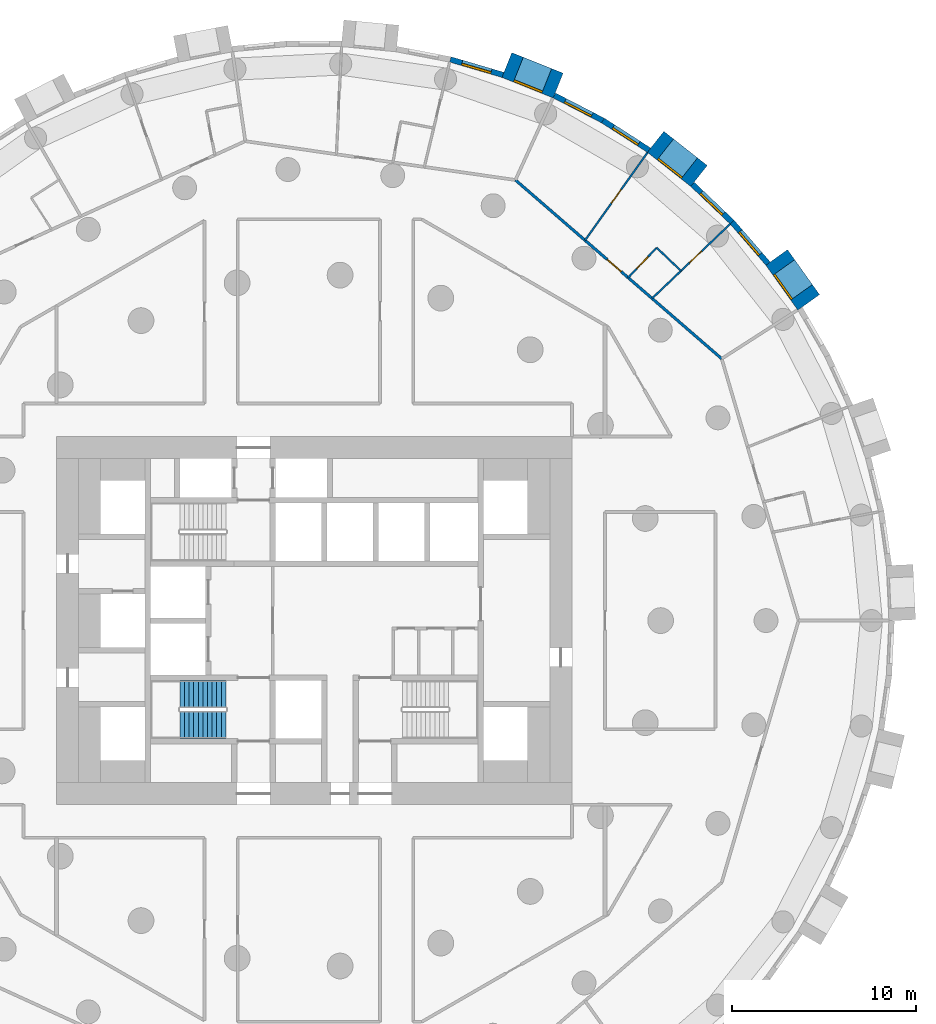
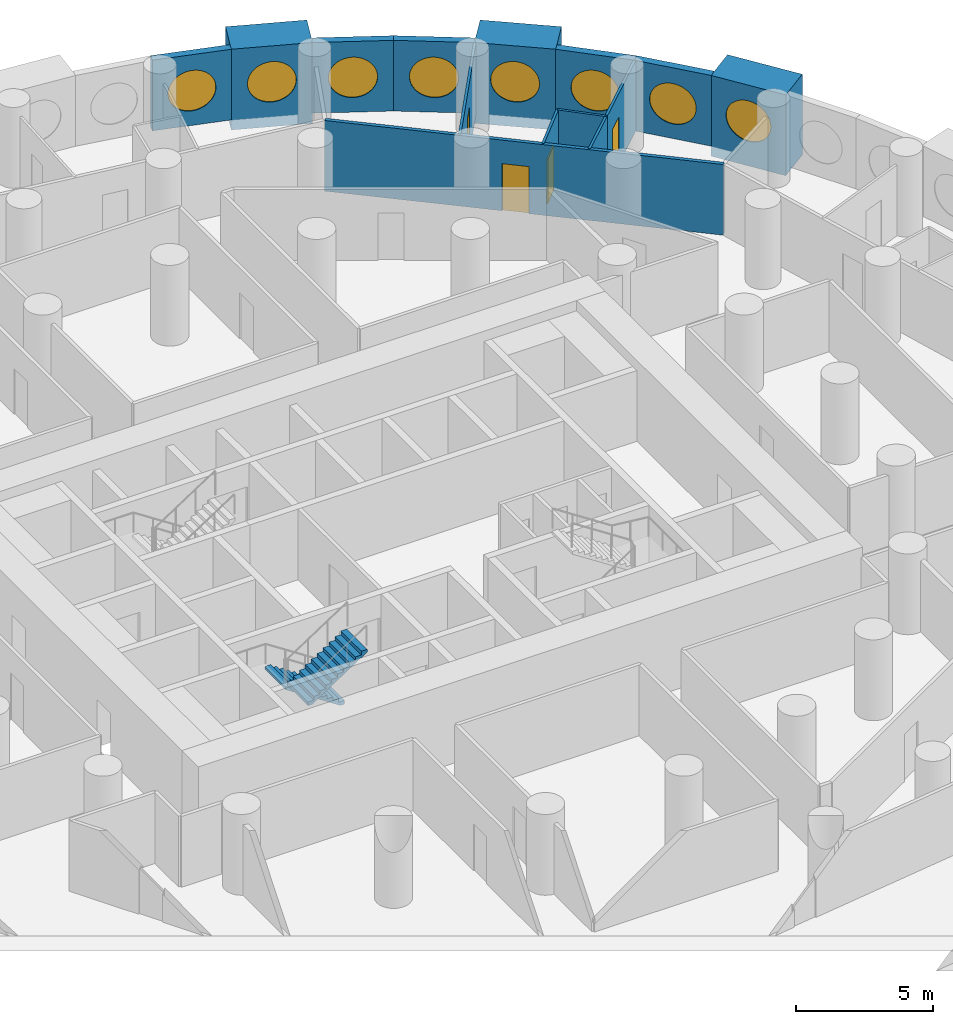
# One storey, part 10 of 12: 14 walls, 8 windows, 4 doors, 2 stair flights, 12 openings, 1 element without a shape of its own.
"""IFC4 building model written with IfcOpenShell, lengths in metres."""

from ifc_helpers import new_model, si_unit, direction, frame, frame_2d, origin, origin_2d, place, context, subcontext, project, spatial, polyline, rectangle, circle, outline, extrude, material, layer, layer_set, type_object, element, fill, aggregate, save


model = new_model("IFC4")

# Units and contexts
model_context = context("Model", 3, precision=1e-05, world=origin(), true_north=direction((0.0, 1.0)))
body_context = subcontext(model_context, "Body", "Model", "MODEL_VIEW")
ifc_project = project(units=[si_unit("LENGTHUNIT", "METRE"), si_unit("AREAUNIT", "SQUARE_METRE"), si_unit("VOLUMEUNIT", "CUBIC_METRE"), si_unit("PLANEANGLEUNIT", "RADIAN"), si_unit("MASSUNIT", "GRAM", prefix="KILO")], contexts=[model_context])

# Site, building, storey
site_placement = place(None, origin())
site = spatial("IfcSite", under=ifc_project, at=site_placement, CompositionType="ELEMENT")
building_placement = place(site_placement, origin())
building = spatial("IfcBuilding", under=site, at=building_placement, Name="Tracery Tower", CompositionType="ELEMENT")
storey_placement = place(building_placement, frame((0.0, 0.0, 85.800048828125)))
storey = spatial("IfcBuildingStorey", under=building, at=storey_placement, Name="L21", CompositionType="ELEMENT", Elevation=85.800048828125)

# Wall, opening, window
ifc_material_1 = material(Name="Precast concrete C50/60", Category="concrete")
ifc_layer_1 = layer(ifc_material_1, 1.449951171875)
ifc_layer_set_1 = layer_set([ifc_layer_1], Name="Deep-set bay unit 3000 x 3600, slab edge 450")
wall_type_1 = type_object("IfcWallType", Name="Deep-set bay unit 3000 x 3600, slab edge 450", PredefinedType="ELEMENTEDWALL", material=ifc_layer_set_1)
wall_1_placement = place(storey_placement, frame((26.866455078125, 17.2900390625, -0.449951171875), z_axis=(0.0, 0.0, 1.0), x_axis=(-0.580090570606, 0.814551981088, 0.0)))
wall_1 = element("IfcWall", 1, at=wall_1_placement, inside=storey, type_object=wall_type_1, Name="Deep-set bay unit 7 at L21", PredefinedType="ELEMENTEDWALL", context=body_context, shape_type="SweptSolid", body=[
    extrude(rectangle(XDim=3.0, YDim=1.449951171875, at=frame_2d((1.5, 0.0))), origin(), (0.0, 0.0, 1.0), 3.599853515625),
])
opening_1_placement = place(wall_1_placement, frame((1.5, 0.0, 2.0)))
opening_1 = element("IfcOpeningElement", 2, at=opening_1_placement, cuts=wall_1, Name="Opening WN1", PredefinedType="OPENING", context=body_context, shape_type="SweptSolid", body=[
    extrude(circle(Radius=0.9000244140625, at=origin_2d()), frame((0.0, 0.73486328125, 0.0), z_axis=(0.0, -1.0, 0.0), x_axis=(1.0, 0.0, 0.0)), (0.0, 0.0, 1.0), 1.469970703125),
])
ifc_material_2 = material(Name="Aluminium frame with tinted double glazing", Category="aluminium")
window_type = type_object("IfcWindowType", Name="Round window 1800", PartitioningType="SINGLE_PANEL", PredefinedType="WINDOW", material=ifc_material_2)
window_1_placement = place(opening_1_placement, origin())
window_1 = element("IfcWindow", 3, at=window_1_placement, inside=storey, type_object=window_type, Name="Round window 7 at L21", OverallHeight=1.800048828125, OverallWidth=1.800048828125, PartitioningType="SINGLE_PANEL", PredefinedType="WINDOW", context=body_context, shape_type="SweptSolid", body=[
    extrude(circle(Radius=0.9000244140625, at=origin_2d()), frame((0.0, 0.69482421875, 0.0), z_axis=(0.0, -1.0, 0.0), x_axis=(1.0, 0.0, 0.0)), (0.0, 0.0, 1.0), 0.10009765625),
])
fill(opening_1, window_1)

wall_2_placement = place(storey_placement, frame((20.906982421875, 24.15869140625, -0.449951171875), z_axis=(0.0, 0.0, 1.0), x_axis=(-0.786049992888, 0.618162930529, 0.0)))
wall_2 = element("IfcWall", 4, at=wall_2_placement, inside=storey, type_object=wall_type_1, Name="Deep-set bay unit 10 at L21", PredefinedType="ELEMENTEDWALL", context=body_context, shape_type="SweptSolid", body=[
    extrude(rectangle(XDim=3.0, YDim=1.449951171875, at=frame_2d((1.5, 0.0))), origin(), (0.0, 0.0, 1.0), 3.599853515625),
])
opening_2_placement = place(wall_2_placement, frame((1.5, 0.0, 2.0)))
opening_2 = element("IfcOpeningElement", 5, at=opening_2_placement, cuts=wall_2, Name="Opening WN1", PredefinedType="OPENING", context=body_context, shape_type="SweptSolid", body=[
    extrude(circle(Radius=0.9000244140625, at=origin_2d()), frame((0.0, 0.73486328125, 0.0), z_axis=(0.0, -1.0, 0.0), x_axis=(1.0, 0.0, 0.0)), (0.0, 0.0, 1.0), 1.469970703125),
])
window_2_placement = place(opening_2_placement, origin())
window_2 = element("IfcWindow", 6, at=window_2_placement, inside=storey, type_object=window_type, Name="Round window 10 at L21", OverallHeight=1.800048828125, OverallWidth=1.800048828125, PartitioningType="SINGLE_PANEL", PredefinedType="WINDOW", context=body_context, shape_type="SweptSolid", body=[
    extrude(circle(Radius=0.9000244140625, at=origin_2d()), frame((0.0, 0.69482421875, 0.0), z_axis=(0.0, -1.0, 0.0), x_axis=(1.0, 0.0, 0.0)), (0.0, 0.0, 1.0), 0.10009765625),
])
fill(opening_2, window_2)

wall_3_placement = place(storey_placement, frame((13.253662109375, 29.0703125, -0.449951171875), z_axis=(0.0, 0.0, 1.0), x_axis=(-0.928358776184, 0.371685327504, 0.0)))
wall_3 = element("IfcWall", 7, at=wall_3_placement, inside=storey, type_object=wall_type_1, Name="Deep-set bay unit 13 at L21", PredefinedType="ELEMENTEDWALL", context=body_context, shape_type="SweptSolid", body=[
    extrude(rectangle(XDim=2.999755859375, YDim=1.449951171875, at=frame_2d((1.5, 0.0))), origin(), (0.0, 0.0, 1.0), 3.599853515625),
])
opening_3_placement = place(wall_3_placement, frame((1.5, 0.0, 2.0)))
opening_3 = element("IfcOpeningElement", 8, at=opening_3_placement, cuts=wall_3, Name="Opening WN1", PredefinedType="OPENING", context=body_context, shape_type="SweptSolid", body=[
    extrude(circle(Radius=0.9000244140625, at=origin_2d()), frame((0.0, 0.73486328125, 0.0), z_axis=(0.0, -1.0, 0.0), x_axis=(1.0, 0.0, 0.0)), (0.0, 0.0, 1.0), 1.469970703125),
])
window_3_placement = place(opening_3_placement, origin())
window_3 = element("IfcWindow", 9, at=window_3_placement, inside=storey, type_object=window_type, Name="Round window 13 at L21", OverallHeight=1.800048828125, OverallWidth=1.800048828125, PartitioningType="SINGLE_PANEL", PredefinedType="WINDOW", context=body_context, shape_type="SweptSolid", body=[
    extrude(circle(Radius=0.9000244140625, at=origin_2d()), frame((0.0, 0.69482421875, 0.0), z_axis=(0.0, -1.0, 0.0), x_axis=(1.0, 0.0, 0.0)), (0.0, 0.0, 1.0), 0.10009765625),
])
fill(opening_3, window_3)

ifc_material_3 = material(Name="Precast concrete C50/60", Category="concrete")
ifc_layer_2 = layer(ifc_material_3, 0.300048828125)
ifc_layer_set_2 = layer_set([ifc_layer_2], Name="Facade panel 3000 x 3150")
wall_type_2 = type_object("IfcWallType", Name="Facade panel 3000 x 3150", PredefinedType="SOLIDWALL", material=ifc_layer_set_2)
wall_4_placement = place(storey_placement, frame((24.657958984375, 19.39892578125, 0.0), z_axis=(0.0, 0.0, 1.0), x_axis=(-0.654830712471, 0.755775587066, 0.0)))
wall_4 = element("IfcWall", 10, at=wall_4_placement, inside=storey, type_object=wall_type_2, Name="Facade panel 8 at L21", PredefinedType="SOLIDWALL", context=body_context, shape_type="SweptSolid", body=[
    extrude(rectangle(XDim=2.979736328125, YDim=0.300048828125, at=frame_2d((1.48974609375, 0.0))), origin(), (0.0, 0.0, 1.0), 3.14990234375),
])
opening_4_placement = place(wall_4_placement, frame((1.48974609375, 0.0, 1.5498046875)))
opening_4 = element("IfcOpeningElement", 11, at=opening_4_placement, cuts=wall_4, Name="Opening WN1", PredefinedType="OPENING", context=body_context, shape_type="SweptSolid", body=[
    extrude(circle(Radius=0.9000244140625, at=origin_2d()), frame((0.0, 0.159912109375, 0.0), z_axis=(0.0, -1.0, 0.0), x_axis=(1.0, 0.0, 0.0)), (0.0, 0.0, 1.0), 0.320068359375),
])
window_4_placement = place(opening_4_placement, origin())
window_4 = element("IfcWindow", 12, at=window_4_placement, inside=storey, type_object=window_type, Name="Round window 8 at L21", OverallHeight=1.800048828125, OverallWidth=1.800048828125, PartitioningType="SINGLE_PANEL", PredefinedType="WINDOW", context=body_context, shape_type="SweptSolid", body=[
    extrude(circle(Radius=0.9000244140625, at=origin_2d()), frame((0.0, 0.1201171875, 0.0), z_axis=(0.0, -1.0, 0.0), x_axis=(1.0, 0.0, 0.0)), (0.0, 0.0, 1.0), 0.10009765625),
])
fill(opening_4, window_4)

wall_5_placement = place(storey_placement, frame((22.706787109375, 21.65087890625, 0.0), z_axis=(0.0, 0.0, 1.0), x_axis=(-0.723744206617, 0.690068346896, 0.0)))
wall_5 = element("IfcWall", 13, at=wall_5_placement, inside=storey, type_object=wall_type_2, Name="Facade panel 9 at L21", PredefinedType="SOLIDWALL", context=body_context, shape_type="SweptSolid", body=[
    extrude(rectangle(XDim=2.979736328125, YDim=0.300048828125, at=frame_2d((1.48974609375, 0.0))), origin(), (0.0, 0.0, 1.0), 3.14990234375),
])
opening_5_placement = place(wall_5_placement, frame((1.48974609375, 0.0, 1.5498046875)))
opening_5 = element("IfcOpeningElement", 14, at=opening_5_placement, cuts=wall_5, Name="Opening WN1", PredefinedType="OPENING", context=body_context, shape_type="SweptSolid", body=[
    extrude(circle(Radius=0.9000244140625, at=origin_2d()), frame((0.0, 0.159912109375, 0.0), z_axis=(0.0, -1.0, 0.0), x_axis=(1.0, 0.0, 0.0)), (0.0, 0.0, 1.0), 0.320068359375),
])
window_5_placement = place(opening_5_placement, origin())
window_5 = element("IfcWindow", 15, at=window_5_placement, inside=storey, type_object=window_type, Name="Round window 9 at L21", OverallHeight=1.800048828125, OverallWidth=1.800048828125, PartitioningType="SINGLE_PANEL", PredefinedType="WINDOW", context=body_context, shape_type="SweptSolid", body=[
    extrude(circle(Radius=0.9000244140625, at=origin_2d()), frame((0.0, 0.1201171875, 0.0), z_axis=(0.0, -1.0, 0.0), x_axis=(1.0, 0.0, 0.0)), (0.0, 0.0, 1.0), 0.10009765625),
])
fill(opening_5, window_5)

wall_6_placement = place(storey_placement, frame((18.19384765625, 25.56005859375, 0.0), z_axis=(0.0, 0.0, 1.0), x_axis=(-0.84122372879, 0.540687190639, 0.0)))
wall_6 = element("IfcWall", 16, at=wall_6_placement, inside=storey, type_object=wall_type_2, Name="Facade panel 11 at L21", PredefinedType="SOLIDWALL", context=body_context, shape_type="SweptSolid", body=[
    extrude(rectangle(XDim=2.979736328125, YDim=0.300048828125, at=frame_2d((1.48974609375, 0.0))), origin(), (0.0, 0.0, 1.0), 3.14990234375),
])
opening_6_placement = place(wall_6_placement, frame((1.48974609375, 0.0, 1.5498046875)))
opening_6 = element("IfcOpeningElement", 17, at=opening_6_placement, cuts=wall_6, Name="Opening WN1", PredefinedType="OPENING", context=body_context, shape_type="SweptSolid", body=[
    extrude(circle(Radius=0.9000244140625, at=origin_2d()), frame((0.0, 0.159912109375, 0.0), z_axis=(0.0, -1.0, 0.0), x_axis=(1.0, 0.0, 0.0)), (0.0, 0.0, 1.0), 0.320068359375),
])
window_6_placement = place(opening_6_placement, origin())
window_6 = element("IfcWindow", 18, at=window_6_placement, inside=storey, type_object=window_type, Name="Round window 11 at L21", OverallHeight=1.800048828125, OverallWidth=1.800048828125, PartitioningType="SINGLE_PANEL", PredefinedType="WINDOW", context=body_context, shape_type="SweptSolid", body=[
    extrude(circle(Radius=0.9000244140625, at=origin_2d()), frame((0.0, 0.1201171875, 0.0), z_axis=(0.0, -1.0, 0.0), x_axis=(1.0, 0.0, 0.0)), (0.0, 0.0, 1.0), 0.10009765625),
])
fill(opening_6, window_6)

wall_7_placement = place(storey_placement, frame((15.687255859375, 27.171142578125, 0.0), z_axis=(0.0, 0.0, 1.0), x_axis=(-0.888853225096, 0.4581920386, 0.0)))
wall_7 = element("IfcWall", 19, at=wall_7_placement, inside=storey, type_object=wall_type_2, Name="Facade panel 12 at L21", PredefinedType="SOLIDWALL", context=body_context, shape_type="SweptSolid", body=[
    extrude(rectangle(XDim=2.9794921875, YDim=0.300048828125, at=frame_2d((1.48974609375, 0.0))), origin(), (0.0, 0.0, 1.0), 3.14990234375),
])
opening_7_placement = place(wall_7_placement, frame((1.48974609375, 0.0, 1.5498046875)))
opening_7 = element("IfcOpeningElement", 20, at=opening_7_placement, cuts=wall_7, Name="Opening WN1", PredefinedType="OPENING", context=body_context, shape_type="SweptSolid", body=[
    extrude(circle(Radius=0.9000244140625, at=origin_2d()), frame((0.0, 0.159912109375, 0.0), z_axis=(0.0, -1.0, 0.0), x_axis=(1.0, 0.0, 0.0)), (0.0, 0.0, 1.0), 0.320068359375),
])
window_7_placement = place(opening_7_placement, origin())
window_7 = element("IfcWindow", 21, at=window_7_placement, inside=storey, type_object=window_type, Name="Round window 12 at L21", OverallHeight=1.800048828125, OverallWidth=1.800048828125, PartitioningType="SINGLE_PANEL", PredefinedType="WINDOW", context=body_context, shape_type="SweptSolid", body=[
    extrude(circle(Radius=0.9000244140625, at=origin_2d()), frame((0.0, 0.1201171875, 0.0), z_axis=(0.0, -1.0, 0.0), x_axis=(1.0, 0.0, 0.0)), (0.0, 0.0, 1.0), 0.10009765625),
])
fill(opening_7, window_7)

wall_8_placement = place(storey_placement, frame((10.255859375, 29.650634765625, 0.0), z_axis=(0.0, 0.0, 1.0), x_axis=(-0.959507586834, 0.28168278401, 0.0)))
wall_8 = element("IfcWall", 22, at=wall_8_placement, inside=storey, type_object=wall_type_2, Name="Facade panel 14 at L21", PredefinedType="SOLIDWALL", context=body_context, shape_type="SweptSolid", body=[
    extrude(rectangle(XDim=2.979736328125, YDim=0.300048828125, at=frame_2d((1.48974609375, 0.0))), origin(), (0.0, 0.0, 1.0), 3.14990234375),
])
opening_8_placement = place(wall_8_placement, frame((1.48974609375, 0.0, 1.5498046875)))
opening_8 = element("IfcOpeningElement", 23, at=opening_8_placement, cuts=wall_8, Name="Opening WN1", PredefinedType="OPENING", context=body_context, shape_type="SweptSolid", body=[
    extrude(circle(Radius=0.9000244140625, at=origin_2d()), frame((0.0, 0.159912109375, 0.0), z_axis=(0.0, -1.0, 0.0), x_axis=(1.0, 0.0, 0.0)), (0.0, 0.0, 1.0), 0.320068359375),
])
window_8_placement = place(opening_8_placement, origin())
window_8 = element("IfcWindow", 24, at=window_8_placement, inside=storey, type_object=window_type, Name="Round window 14 at L21", OverallHeight=1.800048828125, OverallWidth=1.800048828125, PartitioningType="SINGLE_PANEL", PredefinedType="WINDOW", context=body_context, shape_type="SweptSolid", body=[
    extrude(circle(Radius=0.9000244140625, at=origin_2d()), frame((0.0, 0.1201171875, 0.0), z_axis=(0.0, -1.0, 0.0), x_axis=(1.0, 0.0, 0.0)), (0.0, 0.0, 1.0), 0.10009765625),
])
fill(opening_8, window_8)

# Wall, opening, door
ifc_material_4 = material(Name="Plasterboard on steel studs", Category="steel")
ifc_layer_3 = layer(ifc_material_4, 0.10009765625)
ifc_layer_set_3 = layer_set([ifc_layer_3], Name="Partition 100 stud")
wall_type_3 = type_object("IfcWallType", Name="Partition 100 stud", PredefinedType="PARTITIONING", material=ifc_layer_set_3)
wall_9_placement = place(storey_placement, frame((19.927978515625, 19.001953125, 0.0), z_axis=(0.0, 0.0, 1.0), x_axis=(0.723815182922, 0.689993899228, 0.0)))
wall_9 = element("IfcWall", 25, at=wall_9_placement, inside=storey, type_object=wall_type_3, Name="Stud partition RA6-065", PredefinedType="PARTITIONING", context=body_context, shape_type="SweptSolid", body=[
    extrude(rectangle(XDim=3.688720703125, YDim=0.10009765625, at=frame_2d((1.84423828125, 0.0))), origin(), (0.0, 0.0, 1.0), 3.14990234375),
])
opening_9_placement = place(wall_9_placement, frame((0.64453125, 0.0, 0.0)))
opening_9 = element("IfcOpeningElement", 26, at=opening_9_placement, cuts=wall_9, Name="Opening RA6-17", PredefinedType="OPENING", context=body_context, shape_type="SweptSolid", body=[
    extrude(rectangle(XDim=0.89990234375, YDim=2.10009765625, at=frame_2d((0.449951171875, 1.050048828125))), frame((0.0, 0.050048828125, 0.0), z_axis=(0.0, -1.0, 0.0), x_axis=(1.0, 0.0, 0.0)), (0.0, 0.0, 1.0), 0.10009765625),
])
ifc_material_5 = material(Name="Timber door leaf", Category="wood")
door_type_1 = type_object("IfcDoorType", Name="Door bedroom 900", OperationType="NOTDEFINED", PredefinedType="DOOR", material=ifc_material_5)
door_1_placement = place(opening_9_placement, origin())
door_1 = element("IfcDoor", 27, at=door_1_placement, inside=storey, type_object=door_type_1, Name="Bedroom door RA6-17", OperationType="SINGLE_SWING_RIGHT", OverallHeight=2.10009765625, OverallWidth=0.89990234375, PredefinedType="DOOR", context=body_context, shape_type="SweptSolid", body=[
    extrude(rectangle(XDim=0.89990234375, YDim=2.10009765625, at=frame_2d((0.449951171875, 1.050048828125))), frame((0.0, 0.02490234375, 0.0), z_axis=(0.0, -1.0, 0.0), x_axis=(1.0, 0.0, 0.0)), (0.0, 0.0, 1.0), 0.050048828125),
])
fill(opening_9, door_1)

wall_10_placement = place(storey_placement, frame((14.715087890625, 20.6640625, 0.0), z_axis=(0.0, 0.0, 1.0), x_axis=(0.580007254017, 0.814611309329, 0.0)))
wall_10 = element("IfcWall", 28, at=wall_10_placement, inside=storey, type_object=wall_type_3, Name="Stud partition RA6-066", PredefinedType="PARTITIONING", context=body_context, shape_type="SweptSolid", body=[
    extrude(rectangle(XDim=5.856689453125, YDim=0.10009765625, at=frame_2d((2.92822265625, 0.0))), origin(), (0.0, 0.0, 1.0), 3.14990234375),
])
opening_10_placement = place(wall_10_placement, frame((2.47802734375, 0.0, 0.0)))
opening_10 = element("IfcOpeningElement", 29, at=opening_10_placement, cuts=wall_10, Name="Opening RA6-18", PredefinedType="OPENING", context=body_context, shape_type="SweptSolid", body=[
    extrude(rectangle(XDim=0.89990234375, YDim=2.10009765625, at=frame_2d((0.449951171875, 1.050048828125))), frame((0.0, 0.050048828125, 0.0), z_axis=(0.0, -1.0, 0.0), x_axis=(1.0, 0.0, 0.0)), (0.0, 0.0, 1.0), 0.10009765625),
])
door_2_placement = place(opening_10_placement, origin())
door_2 = element("IfcDoor", 30, at=door_2_placement, inside=storey, type_object=door_type_1, Name="Bedroom door RA6-18", OperationType="SINGLE_SWING_LEFT", OverallHeight=2.10009765625, OverallWidth=0.89990234375, PredefinedType="DOOR", context=body_context, shape_type="SweptSolid", body=[
    extrude(rectangle(XDim=0.89990234375, YDim=2.10009765625, at=frame_2d((0.449951171875, 1.050048828125))), frame((0.0, 0.02490234375, 0.0), z_axis=(0.0, -1.0, 0.0), x_axis=(1.0, 0.0, 0.0)), (0.0, 0.0, 1.0), 0.050048828125),
])
fill(opening_10, door_2)

# Wall
ifc_material_6 = material(Name="Plasterboard on steel studs", Category="steel")
ifc_layer_4 = layer(ifc_material_6, 0.10009765625)
ifc_layer_set_4 = layer_set([ifc_layer_4], Name="Partition 100 wet wall")
wall_type_4 = type_object("IfcWallType", Name="Partition 100 wet wall", PredefinedType="PARTITIONING", material=ifc_layer_set_4)
wall_11_placement = place(storey_placement, frame((18.60791015625, 20.260986328125, 0.0), z_axis=(0.0, 0.0, 1.0), x_axis=(0.723638053237, -0.690179663499, 0.0)))
element("IfcWall", 31, at=wall_11_placement, inside=storey, type_object=wall_type_4, Name="Wet wall RA6-067", PredefinedType="PARTITIONING", context=body_context, shape_type="SweptSolid", body=[
    extrude(rectangle(XDim=1.82421875, YDim=0.10009765625, at=frame_2d((0.912109375, 0.0))), origin(), (0.0, 0.0, 1.0), 3.14990234375),
])

# Wall, opening, door
wall_12_placement = place(storey_placement, frame((17.056884765625, 18.634033203125, 0.0), z_axis=(0.0, 0.0, 1.0), x_axis=(0.690015794307, 0.723794310289, 0.0)))
wall_12 = element("IfcWall", 32, at=wall_12_placement, inside=storey, type_object=wall_type_4, Name="Wet wall RA6-068", PredefinedType="PARTITIONING", context=body_context, shape_type="SweptSolid", body=[
    extrude(rectangle(XDim=2.247802734375, YDim=0.10009765625, at=frame_2d((1.1240234375, 0.0))), origin(), (0.0, 0.0, 1.0), 3.14990234375),
])
opening_11_placement = place(wall_12_placement, frame((0.673828125, 0.0, 0.0)))
opening_11 = element("IfcOpeningElement", 33, at=opening_11_placement, cuts=wall_12, Name="Opening RA6-19", PredefinedType="OPENING", context=body_context, shape_type="SweptSolid", body=[
    extrude(rectangle(XDim=0.89990234375, YDim=2.0, at=frame_2d((0.449951171875, 1.0))), frame((0.0, 0.050048828125, 0.0), z_axis=(0.0, -1.0, 0.0), x_axis=(1.0, 0.0, 0.0)), (0.0, 0.0, 1.0), 0.10009765625),
])
ifc_material_7 = material(Name="Timber door leaf", Category="wood")
door_type_2 = type_object("IfcDoorType", Name="Door shower room 900", OperationType="NOTDEFINED", PredefinedType="DOOR", material=ifc_material_7)
door_3_placement = place(opening_11_placement, origin())
door_3 = element("IfcDoor", 34, at=door_3_placement, inside=storey, type_object=door_type_2, Name="Shower room door RA6-19", OperationType="SINGLE_SWING_RIGHT", OverallHeight=2.0, OverallWidth=0.89990234375, PredefinedType="DOOR", context=body_context, shape_type="SweptSolid", body=[
    extrude(rectangle(XDim=0.89990234375, YDim=2.0, at=frame_2d((0.449951171875, 1.0))), frame((0.0, 0.02490234375, 0.0), z_axis=(0.0, -1.0, 0.0), x_axis=(1.0, 0.0, 0.0)), (0.0, 0.0, 1.0), 0.050048828125),
])
fill(opening_11, door_3)

# Wall
wall_13_placement = place(storey_placement, frame((18.35888671875, 17.506103515625, 0.0), z_axis=(0.0, 0.0, 1.0), x_axis=(0.723990848888, 0.689809575699, 0.0)))
element("IfcWall", 35, at=wall_13_placement, inside=storey, type_object=wall_type_4, Name="Wet wall RA6-069", PredefinedType="PARTITIONING", context=body_context, shape_type="SweptSolid", body=[
    extrude(rectangle(XDim=2.17138671875, YDim=0.10009765625, at=frame_2d((1.085693359375, 0.0))), origin(), (0.0, 0.0, 1.0), 3.14990234375),
])

# Wall, opening, door
ifc_material_8 = material(Name="Plasterboard on steel studs", Category="steel")
ifc_layer_5 = layer(ifc_material_8, 0.14990234375)
ifc_layer_set_5 = layer_set([ifc_layer_5], Name="Partition 150 corridor wall")
wall_type_5 = type_object("IfcWallType", Name="Partition 150 corridor wall", PredefinedType="PARTITIONING", material=ifc_layer_set_5)
wall_14_placement = place(storey_placement, frame((10.932373046875, 23.939208984375, 0.0), z_axis=(0.0, 0.0, 1.0), x_axis=(0.755823777664, -0.654775088956, 0.0)))
wall_14 = element("IfcWall", 36, at=wall_14_placement, inside=storey, type_object=wall_type_5, Name="Corridor wall RA6-021", PredefinedType="PARTITIONING", context=body_context, shape_type="SweptSolid", body=[
    extrude(rectangle(XDim=14.829833984375, YDim=0.14990234375, at=frame_2d((7.4150390625, 0.0))), origin(), (0.0, 0.0, 1.0), 3.14990234375),
])
opening_12_placement = place(wall_14_placement, frame((6.60400390625, 0.0, 0.0)))
opening_12 = element("IfcOpeningElement", 37, at=opening_12_placement, cuts=wall_14, Name="Opening RA6-20", PredefinedType="OPENING", context=body_context, shape_type="SweptSolid", body=[
    extrude(rectangle(XDim=1.0, YDim=2.10009765625, at=frame_2d((0.5, 1.050048828125))), frame((0.0, 0.074951171875, 0.0), z_axis=(0.0, -1.0, 0.0), x_axis=(1.0, 0.0, 0.0)), (0.0, 0.0, 1.0), 0.14990234375),
])
ifc_material_9 = material(Name="Timber door leaf", Category="wood")
door_type_3 = type_object("IfcDoorType", Name="Door unit entrance 1000", OperationType="NOTDEFINED", PredefinedType="DOOR", material=ifc_material_9)
door_4_placement = place(opening_12_placement, origin())
door_4 = element("IfcDoor", 38, at=door_4_placement, inside=storey, type_object=door_type_3, Name="Unit entrance door RA6-20", OperationType="SINGLE_SWING_RIGHT", OverallHeight=2.10009765625, OverallWidth=1.0, PredefinedType="DOOR", context=body_context, shape_type="SweptSolid", body=[
    extrude(rectangle(XDim=1.0, YDim=2.10009765625, at=frame_2d((0.5, 1.050048828125))), frame((0.0, 0.02490234375, 0.0), z_axis=(0.0, -1.0, 0.0), x_axis=(1.0, 0.0, 0.0)), (0.0, 0.0, 1.0), 0.050048828125),
])
fill(opening_12, door_4)

# Stair, stair flights
ifc_material_10 = material(Name="Concrete C32/40", Category="concrete")
stair_type = type_object("IfcStairType", Name="Core stair 22 risers", PredefinedType="HALF_TURN_STAIR", material=ifc_material_10)
stair_placement = place(storey_placement, origin())
stair = element("IfcStair", 39, at=stair_placement, inside=storey, type_object=stair_type, Name="L21 stair ST1", PredefinedType="HALF_TURN_STAIR")
ifc_material_11 = material(Name="Concrete C32/40", Category="concrete")
stair_flight_type = type_object("IfcStairFlightType", Name="Core stair flight 11 risers", PredefinedType="STRAIGHT", material=ifc_material_11)
stair_flight_1_placement = place(storey_placement, frame((-4.800048828125, -4.0, 0.0), z_axis=(0.0, 0.0, 1.0), x_axis=(-1.0, 0.0, 0.0)))
stair_flight_1 = element("IfcStairFlight", 40, at=stair_flight_1_placement, type_object=stair_flight_type, Name="ST1 flight 1", NumberOfRisers=11, NumberOfTreads=10, PredefinedType="STRAIGHT", RiserHeight=0.163636364, TreadLength=0.25, context=body_context, shape_type="SweptSolid", body=[
    extrude(outline(polyline([(0.0, 0.0), (0.0, 0.002685546875), (0.0, 0.00537109375), (0.0, 0.008056640625), (0.0, 0.0107421875), (0.0, 0.013427734375), (0.0, 0.01611328125), (0.0, 0.018798828125), (0.0, 0.021484375), (0.0, 0.024169921875), (0.0, 0.02685546875), (0.0, 0.029541015625), (0.0, 0.0322265625), (0.0, 0.034912109375), (0.0, 0.03759765625), (0.0, 0.040283203125), (0.0, 0.04296875), (0.0, 0.045654296875), (0.0, 0.04833984375), (0.0, 0.051025390625), (0.0, 0.0537109375), (0.0, 0.056396484375), (0.0, 0.05908203125), (0.0, 0.061767578125), (0.0, 0.064453125), (0.0, 0.067138671875), (0.0, 0.06982421875), (0.0, 0.072509765625), (0.0, 0.0751953125), (0.0, 0.077880859375), (0.0, 0.08056640625), (0.0, 0.083251953125), (0.0, 0.0859375), (0.0, 0.088623046875), (0.0, 0.09130859375), (0.0, 0.093994140625), (0.0, 0.0966796875), (0.0, 0.099365234375), (0.0, 0.10205078125), (0.0, 0.104736328125), (0.0, 0.107421875), (0.0, 0.10986328125), (0.0, 0.112548828125), (0.0, 0.115234375), (0.0, 0.117919921875), (0.0, 0.12060546875), (0.0, 0.123291015625), (0.0, 0.1259765625), (0.0, 0.128662109375), (0.0, 0.13134765625), (0.0, 0.134033203125), (0.0, 0.13671875), (0.0, 0.139404296875), (0.0, 0.14208984375), (0.0, 0.144775390625), (0.0, 0.1474609375), (0.0, 0.150146484375), (0.0, 0.15283203125), (0.0, 0.155517578125), (0.0, 0.158203125), (0.0, 0.160888671875), (0.0, 0.16357421875), (0.25, 0.16357421875), (0.25, 0.327392578125), (0.5, 0.327392578125), (0.5, 0.490966796875), (0.75, 0.490966796875), (0.75, 0.654541015625), (1.0, 0.654541015625), (1.0, 0.818115234375), (1.25, 0.818115234375), (1.25, 0.98193359375), (1.5, 0.98193359375), (1.5, 1.1455078125), (1.75, 1.1455078125), (1.75, 1.30908203125), (2.0, 1.30908203125), (2.0, 1.47265625), (2.25, 1.47265625), (2.25, 1.636474609375), (2.5, 1.636474609375), (2.5, 1.634521484375), (2.5, 1.63232421875), (2.5, 1.63037109375), (2.5, 1.62841796875), (2.5, 1.62646484375), (2.5, 1.62451171875), (2.5, 1.62255859375), (2.5, 1.62060546875), (2.5, 1.61865234375), (2.5, 1.61669921875), (2.5, 1.61474609375), (2.5, 1.61279296875), (2.5, 1.61083984375), (2.5, 1.60888671875), (2.5, 1.60693359375), (2.5, 1.60498046875), (2.5, 1.60302734375), (2.5, 1.60107421875), (2.5, 1.59912109375), (2.5, 1.59716796875), (2.5, 1.59521484375), (2.5, 1.59326171875), (2.5, 1.59130859375), (2.5, 1.58935546875), (2.5, 1.58740234375), (2.5, 1.58544921875), (2.5, 1.58349609375), (2.5, 1.58154296875), (2.5, 1.57958984375), (2.5, 1.57763671875), (2.5, 1.57568359375), (2.5, 1.573486328125), (2.5, 1.571533203125), (2.5, 1.569580078125), (2.5, 1.567626953125), (2.5, 1.565673828125), (2.5, 1.563720703125), (2.5, 1.561767578125), (2.5, 1.559814453125), (2.5, 1.557861328125), (2.5, 1.555908203125), (2.5, 1.553955078125), (2.5, 1.552001953125), (2.5, 1.550048828125), (2.5, 1.548095703125), (2.5, 1.546142578125), (2.5, 1.544189453125), (2.5, 1.542236328125), (2.5, 1.540283203125), (2.5, 1.538330078125), (2.5, 1.536376953125), (2.5, 1.534423828125), (2.5, 1.532470703125), (2.5, 1.530517578125), (2.5, 1.528564453125), (2.5, 1.526611328125), (2.5, 1.524658203125), (2.5, 1.522705078125), (2.5, 1.520751953125), (2.5, 1.518798828125), (2.5, 1.516845703125), (0.182861328125, 0.0), (0.0, 0.0)])), frame((0.0, 0.75, 0.0), z_axis=(0.0, -1.0, 0.0), x_axis=(1.0, 0.0, 0.0)), (0.0, 0.0, 1.0), 1.5),
])
stair_flight_2_placement = place(storey_placement, frame((-7.300048828125, -5.64990234375, 1.800048828125), z_axis=(0.0, 0.0, 1.0), x_axis=(1.0, 0.0, 0.0)))
stair_flight_2 = element("IfcStairFlight", 41, at=stair_flight_2_placement, type_object=stair_flight_type, Name="ST1 flight 2", NumberOfRisers=11, NumberOfTreads=10, PredefinedType="STRAIGHT", RiserHeight=0.163636364, TreadLength=0.25, context=body_context, shape_type="SweptSolid", body=[
    extrude(outline(polyline([(0.0, 0.0), (0.0, 0.002685546875), (0.0, 0.00537109375), (0.0, 0.008056640625), (0.0, 0.0107421875), (0.0, 0.013427734375), (0.0, 0.01611328125), (0.0, 0.018798828125), (0.0, 0.021484375), (0.0, 0.024169921875), (0.0, 0.02685546875), (0.0, 0.029541015625), (0.0, 0.0322265625), (0.0, 0.034912109375), (0.0, 0.03759765625), (0.0, 0.040283203125), (0.0, 0.04296875), (0.0, 0.045654296875), (0.0, 0.04833984375), (0.0, 0.051025390625), (0.0, 0.0537109375), (0.0, 0.056396484375), (0.0, 0.05908203125), (0.0, 0.061767578125), (0.0, 0.064453125), (0.0, 0.067138671875), (0.0, 0.06982421875), (0.0, 0.072509765625), (0.0, 0.0751953125), (0.0, 0.077880859375), (0.0, 0.08056640625), (0.0, 0.083251953125), (0.0, 0.0859375), (0.0, 0.088623046875), (0.0, 0.09130859375), (0.0, 0.093994140625), (0.0, 0.0966796875), (0.0, 0.099365234375), (0.0, 0.10205078125), (0.0, 0.104736328125), (0.0, 0.107421875), (0.0, 0.10986328125), (0.0, 0.112548828125), (0.0, 0.115234375), (0.0, 0.117919921875), (0.0, 0.12060546875), (0.0, 0.123291015625), (0.0, 0.1259765625), (0.0, 0.128662109375), (0.0, 0.13134765625), (0.0, 0.134033203125), (0.0, 0.13671875), (0.0, 0.139404296875), (0.0, 0.14208984375), (0.0, 0.144775390625), (0.0, 0.1474609375), (0.0, 0.150146484375), (0.0, 0.15283203125), (0.0, 0.155517578125), (0.0, 0.158203125), (0.0, 0.160888671875), (0.0, 0.16357421875), (0.25, 0.16357421875), (0.25, 0.327392578125), (0.5, 0.327392578125), (0.5, 0.490966796875), (0.75, 0.490966796875), (0.75, 0.654541015625), (1.0, 0.654541015625), (1.0, 0.818115234375), (1.25, 0.818115234375), (1.25, 0.98193359375), (1.5, 0.98193359375), (1.5, 1.1455078125), (1.75, 1.1455078125), (1.75, 1.30908203125), (2.0, 1.30908203125), (2.0, 1.47265625), (2.25, 1.47265625), (2.25, 1.636474609375), (2.5, 1.636474609375), (2.5, 1.634521484375), (2.5, 1.63232421875), (2.5, 1.63037109375), (2.5, 1.62841796875), (2.5, 1.62646484375), (2.5, 1.62451171875), (2.5, 1.62255859375), (2.5, 1.62060546875), (2.5, 1.61865234375), (2.5, 1.61669921875), (2.5, 1.61474609375), (2.5, 1.61279296875), (2.5, 1.61083984375), (2.5, 1.60888671875), (2.5, 1.60693359375), (2.5, 1.60498046875), (2.5, 1.60302734375), (2.5, 1.60107421875), (2.5, 1.59912109375), (2.5, 1.59716796875), (2.5, 1.59521484375), (2.5, 1.59326171875), (2.5, 1.59130859375), (2.5, 1.58935546875), (2.5, 1.58740234375), (2.5, 1.58544921875), (2.5, 1.58349609375), (2.5, 1.58154296875), (2.5, 1.57958984375), (2.5, 1.57763671875), (2.5, 1.57568359375), (2.5, 1.573486328125), (2.5, 1.571533203125), (2.5, 1.569580078125), (2.5, 1.567626953125), (2.5, 1.565673828125), (2.5, 1.563720703125), (2.5, 1.561767578125), (2.5, 1.559814453125), (2.5, 1.557861328125), (2.5, 1.555908203125), (2.5, 1.553955078125), (2.5, 1.552001953125), (2.5, 1.550048828125), (2.5, 1.548095703125), (2.5, 1.546142578125), (2.5, 1.544189453125), (2.5, 1.542236328125), (2.5, 1.540283203125), (2.5, 1.538330078125), (2.5, 1.536376953125), (2.5, 1.534423828125), (2.5, 1.532470703125), (2.5, 1.530517578125), (2.5, 1.528564453125), (2.5, 1.526611328125), (2.5, 1.524658203125), (2.5, 1.522705078125), (2.5, 1.520751953125), (2.5, 1.518798828125), (2.5, 1.516845703125), (0.182861328125, 0.0), (0.0, 0.0)])), frame((0.0, 0.75, 0.0), z_axis=(0.0, -1.0, 0.0), x_axis=(1.0, 0.0, 0.0)), (0.0, 0.0, 1.0), 1.5),
])
aggregate(stair, [stair_flight_1, stair_flight_2])

save(model, "model.ifc")
